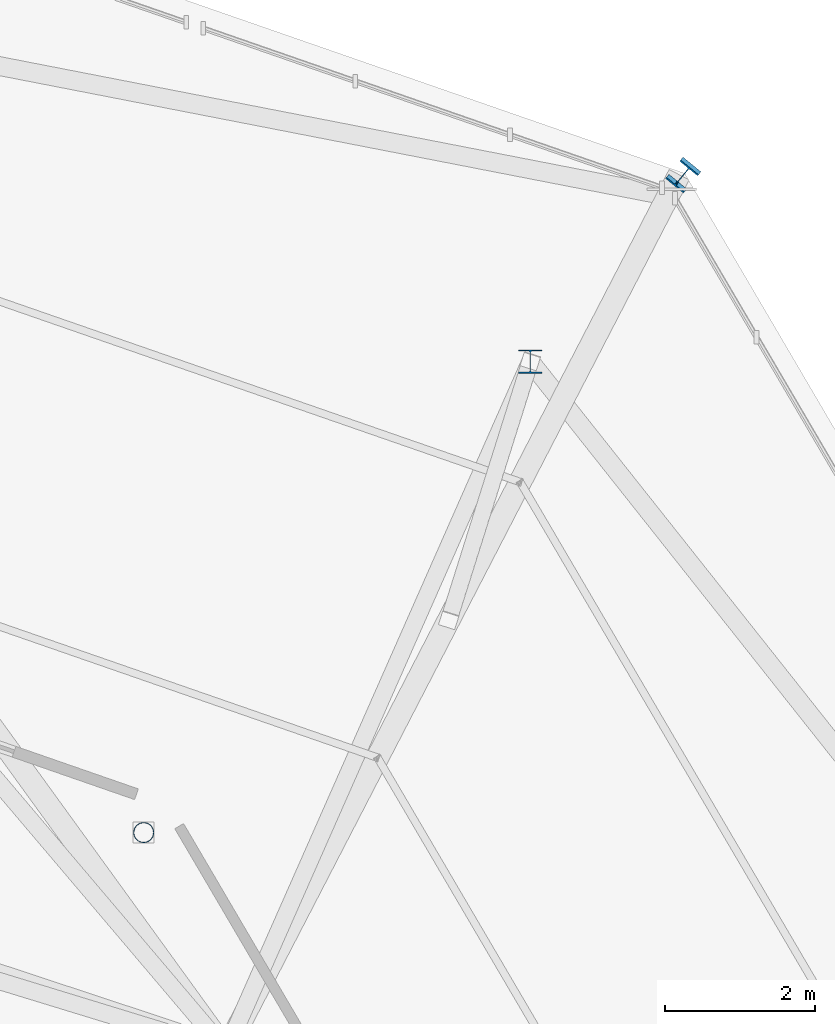
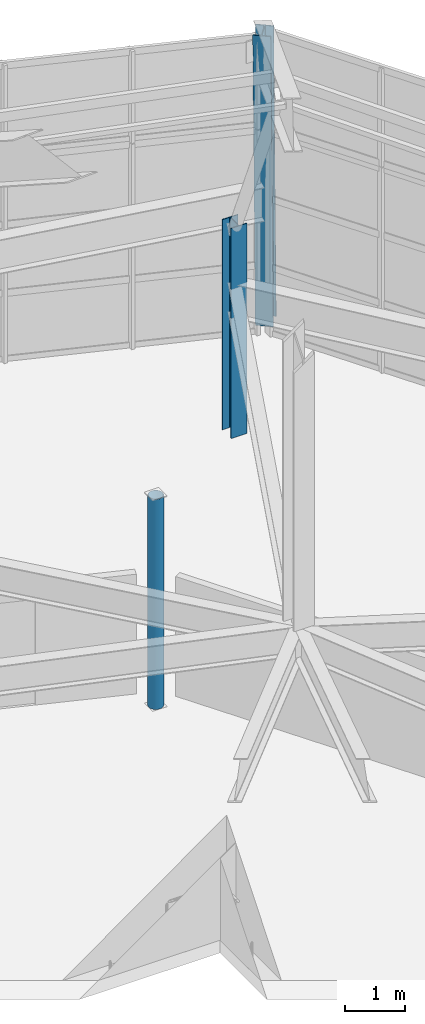
# One storey, part 9 of 50: 3 columns.
"""IFC4 building model written with IfcOpenShell, lengths in metres."""

from ifc_helpers import new_model, si_unit, direction, frame, origin, origin_2d, place, context, subcontext, project, spatial, hollow_circle, i_section, extrude, material, material_profile, profile_set, type_object, element, save


model = new_model("IFC4")

# Units and contexts
model_context = context("Model", 3, precision=1e-05, world=origin(), true_north=direction((0.0, 1.0)))
body_context = subcontext(model_context, "Body", "Model", "MODEL_VIEW")
ifc_project = project(units=[si_unit("LENGTHUNIT", "METRE"), si_unit("AREAUNIT", "SQUARE_METRE"), si_unit("VOLUMEUNIT", "CUBIC_METRE"), si_unit("PLANEANGLEUNIT", "RADIAN"), si_unit("MASSUNIT", "GRAM", prefix="KILO")], contexts=[model_context])

# Site, building, storey
site_placement = place(None, origin())
site = spatial("IfcSite", under=ifc_project, at=site_placement, CompositionType="ELEMENT")
building_placement = place(site_placement, origin())
building = spatial("IfcBuilding", under=site, at=building_placement, Name="Sarnbrook Museum", CompositionType="ELEMENT")
storey_placement = place(building_placement, frame((0.0, 0.0, 28.10009765625)))
storey = spatial("IfcBuildingStorey", under=building, at=storey_placement, Name="L05", CompositionType="ELEMENT", Elevation=28.10009765625)

# Columns
ifc_material_1 = material(Name="Structural Steel Hollow Section Grade C350L0 (AS/NZS 1163, fy = 350 MPa)", Category="steel")
ifc_material_profile_1 = material_profile(ifc_material_1, hollow_circle(Radius=0.136474609375, WallThickness=0.00927734375, at=origin_2d()), Name="273.1x9.3CHS")
ifc_profile_set_1 = profile_set([ifc_material_profile_1], Name="Structural Steel Hollow Section Grade C350L0 (AS/NZS 1163, fy = 350 MPa)")
column_type_1 = type_object("IfcColumnType", Name="COL-CHS273", PredefinedType="COLUMN", material=ifc_profile_set_1)
column_1_placement = place(storey_placement, frame((148.40576171875, 96.39599609375, 0.0), z_axis=(0.0, 0.0, 1.0), x_axis=(1.0, 0.0, 0.0)))
element("IfcColumn", 1, at=column_1_placement, inside=storey, type_object=column_type_1, Name="Crystal Gallery Feature Column R2-5 L05", PredefinedType="COLUMN", context=body_context, shape_type="SweptSolid", body=[
    extrude(hollow_circle(Radius=0.136474609375, WallThickness=0.00927734375, at=origin_2d()), origin(), (0.0, 0.0, 1.0), 4.2998046875),
])
ifc_material_2 = material(Name="Structural Steel Grade 300PLUS (AS/NZS 3679.1, fy = 280 MPa for 17 < t <= 40 mm, 300 MPa for t <= 17 mm)", Category="steel")
ifc_material_profile_2 = material_profile(ifc_material_2, i_section(OverallWidth=0.306884765625, OverallDepth=0.31494140625, WebThickness=0.011962890625, FlangeThickness=0.018798828125, FilletRadius=0.0166015625, at=origin_2d()), Name="310UC118")
ifc_profile_set_2 = profile_set([ifc_material_profile_2], Name="Structural Steel Grade 300PLUS (AS/NZS 3679.1, fy = 280 MPa for 17 < t <= 40 mm, 300 MPa for t <= 17 mm)")
column_type_2 = type_object("IfcColumnType", Name="COL-UC310", PredefinedType="COLUMN", material=ifc_profile_set_2)
column_2_placement = place(storey_placement, frame((155.59423828125, 105.156005859375, 0.034912109375), z_axis=(-0.027795330703, -0.033888003479, 0.999039049693), x_axis=(0.773187597765, -0.63417737161, 0.0)))
element("IfcColumn", 2, at=column_2_placement, inside=storey, type_object=column_type_2, Name="Raking Crystal Rib Column V5 L05", PredefinedType="COLUMN", context=body_context, shape_type="SweptSolid", body=[
    extrude(i_section(OverallWidth=0.306884765625, OverallDepth=0.31494140625, WebThickness=0.011962890625, FlangeThickness=0.018798828125, FilletRadius=0.0166015625, at=origin_2d()), origin(), (0.0, 0.0, 1.0), 6.130859375),
])
column_3_placement = place(storey_placement, frame((153.543701171875, 102.656982421875, 0.0), z_axis=(0.0, 0.0, 1.0), x_axis=(1.0, 0.0, 0.0)))
element("IfcColumn", 3, at=column_3_placement, inside=storey, type_object=column_type_2, Name="Crystal Hall Ring Column R1-5 L05", PredefinedType="COLUMN", context=body_context, shape_type="SweptSolid", body=[
    extrude(i_section(OverallWidth=0.306884765625, OverallDepth=0.31494140625, WebThickness=0.011962890625, FlangeThickness=0.018798828125, FilletRadius=0.0166015625, at=origin_2d()), origin(), (0.0, 0.0, 1.0), 4.2998046875),
])

save(model, "model.ifc")
